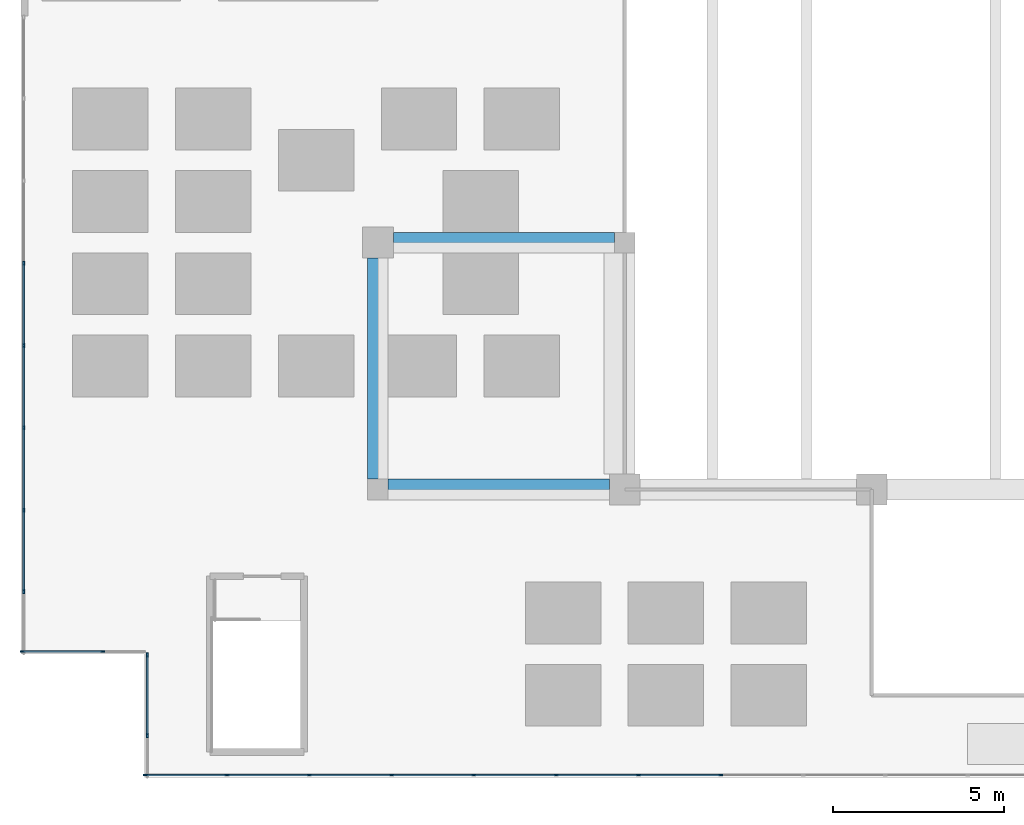
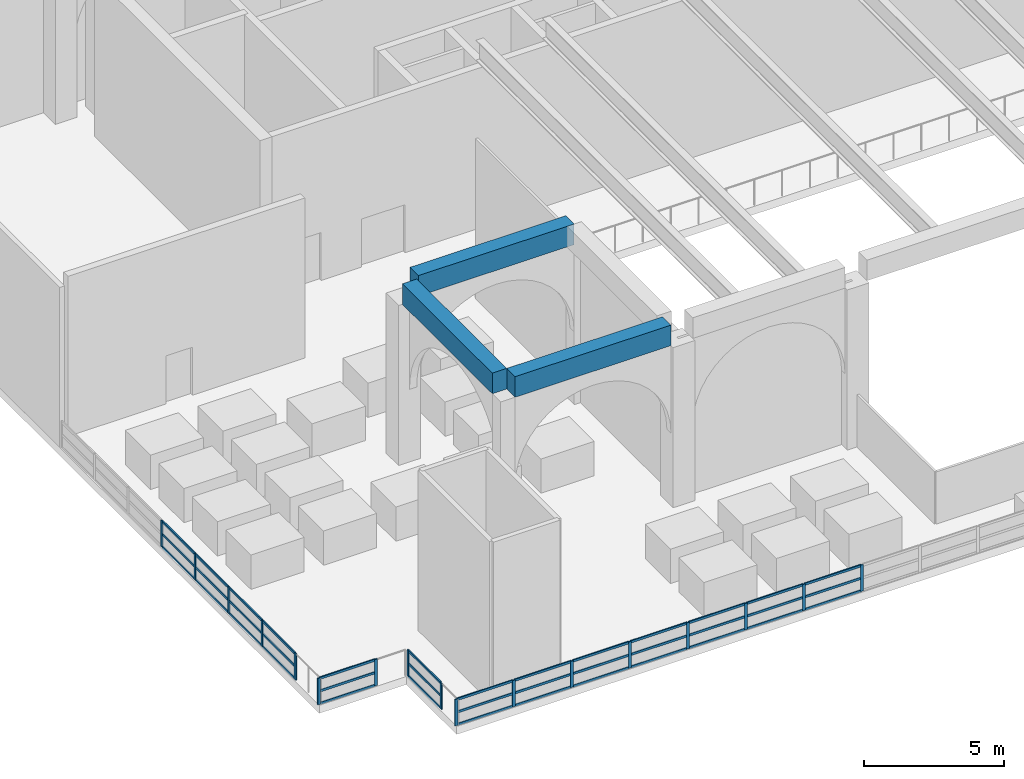
# One storey, part 2 of 17: 56 members, 3 beams, 4 elements without a shape of their own.
"""IFC4 building model written with IfcOpenShell, lengths in metres."""

from ifc_helpers import new_model, si_unit, direction, frame, origin, origin_2d, place, context, subcontext, project, spatial, rectangle, extrude, source, transform, mapped, material, layer, layer_set, material_profile, profile_set, type_object, element, aggregate, save


model = new_model("IFC4")

# Units and contexts
model_context = context("Model", 3, precision=1e-05, world=origin(), true_north=direction((0.0, 1.0)))
body_context = subcontext(model_context, "Body", "Model", "MODEL_VIEW")
ifc_project = project(units=[si_unit("LENGTHUNIT", "METRE"), si_unit("AREAUNIT", "SQUARE_METRE"), si_unit("VOLUMEUNIT", "CUBIC_METRE"), si_unit("PLANEANGLEUNIT", "RADIAN"), si_unit("MASSUNIT", "GRAM", prefix="KILO")], contexts=[model_context])

# Site, building, storey
site_placement = place(None, origin())
site = spatial("IfcSite", under=ifc_project, at=site_placement, CompositionType="ELEMENT")
building_placement = place(site_placement, origin())
building = spatial("IfcBuilding", under=site, at=building_placement, Name="Saffron Iwan Residences", CompositionType="ELEMENT")
storey_placement = place(building_placement, frame((0.0, 0.0, 274.5)))
storey = spatial("IfcBuildingStorey", under=building, at=storey_placement, Name="L74", CompositionType="ELEMENT", Elevation=274.5)

# Beams
ifc_material_1 = material(Name="Concrete C40/50", Category="concrete")
ifc_material_profile_1 = material_profile(ifc_material_1, rectangle(XDim=0.60009765625, YDim=0.89990234375, at=origin_2d()), Name="RC 600x900")
ifc_profile_set_1 = profile_set([ifc_material_profile_1], Name="Concrete C40/50")
beam_type = type_object("IfcBeamType", Name="BEAM RC 600x900 C40/50 TOP 7900", PredefinedType="BEAM", material=ifc_profile_set_1)
shared_shape_1 = source(origin(), body_context, "Body", "SweptSolid", [
    extrude(rectangle(XDim=0.60009765625, YDim=0.89990234375, at=origin_2d()), origin(), (0.0, 0.0, 1.0), 6.449951171875),
])
for number, where, z_axis, x_axis, name in (
    (1, (28.800048828125, 48.300048828125, 7.449951171875), (0.0, 1.0, 0.0), (-1.0, 0.0, 0.0), "Crown ring beam"),
    (2, (29.10009765625, 48.0, 7.449951171875), (1.0, 0.0, 0.0), (0.0, 1.0, 0.0), "Canopy beam"),
    (3, (29.25, 55.199951171875, 7.449951171875), (1.0, 0.0, 0.0), (0.0, 1.0, 0.0), "Canopy beam"),
):
    element("IfcBeam", number, at=place(storey_placement, frame(where, z_axis=z_axis, x_axis=x_axis)), inside=storey, type_object=beam_type, Name=name, PredefinedType="BEAM", context=body_context, shape_type="MappedRepresentation", body=[
        mapped(shared_shape_1, transform((0.0, 0.0, 0.0))),
    ])

# Curtain wall, members
ifc_material_2 = material(Name="Clear glass, laminated double glazed", Category="glass")
ifc_layer = layer(ifc_material_2, 0.10009765625)
ifc_layer_set = layer_set([ifc_layer], Name="Clear glass, laminated double glazed")
curtain_wall_type = type_object("IfcCurtainWallType", Name="CW-F ROOF TERRACE GLAZED GUARD", PredefinedType="NOTDEFINED", material=ifc_layer_set)
curtain_wall_1_placement = place(storey_placement, origin())
curtain_wall_1 = element("IfcCurtainWall", 4, at=curtain_wall_1_placement, inside=storey, type_object=curtain_wall_type, Name="Glazed terrace guard F8.6", PredefinedType="NOTDEFINED")
ifc_material_3 = material(Name="Aluminium 6063-T6", Category="aluminium")
ifc_material_profile_2 = material_profile(ifc_material_3, rectangle(XDim=0.050048828125, YDim=0.1201171875, at=origin_2d()), Name="CW-F MULLION 50 x 120")
ifc_profile_set_2 = profile_set([ifc_material_profile_2], Name="Aluminium 6063-T6")
member_type_1 = type_object("IfcMemberType", Name="CW-F MULLION 50 x 120", PredefinedType="MULLION", material=ifc_profile_set_2)
shared_shape_2 = source(origin(), body_context, "Body", "SweptSolid", [
    extrude(rectangle(XDim=0.050048828125, YDim=0.1201171875, at=origin_2d()), origin(), (0.0, 0.0, 1.0), 1.14990234375),
])
member_1_placement = place(storey_placement, frame((18.47509765625, 54.60009765625, 0.0), z_axis=(0.0, 0.0, 1.0), x_axis=(1.0, 0.0, 0.0)))
member_1 = element("IfcMember", 5, at=member_1_placement, type_object=member_type_1, Name="CW-F mullion 4", PredefinedType="MULLION", context=body_context, shape_type="MappedRepresentation", body=[
    mapped(shared_shape_2, transform((0.0, 0.0, 0.0))),
])
member_2_placement = place(storey_placement, frame((18.47509765625, 52.199951171875, 0.0), z_axis=(0.0, 0.0, 1.0), x_axis=(1.0, 0.0, 0.0)))
member_2 = element("IfcMember", 6, at=member_2_placement, type_object=member_type_1, Name="CW-F mullion 5", PredefinedType="MULLION", context=body_context, shape_type="MappedRepresentation", body=[
    mapped(shared_shape_2, transform((0.0, 0.0, 0.0))),
])
member_3_placement = place(storey_placement, frame((18.47509765625, 49.800048828125, 0.0), z_axis=(0.0, 0.0, 1.0), x_axis=(1.0, 0.0, 0.0)))
member_3 = element("IfcMember", 7, at=member_3_placement, type_object=member_type_1, Name="CW-F mullion 6", PredefinedType="MULLION", context=body_context, shape_type="MappedRepresentation", body=[
    mapped(shared_shape_2, transform((0.0, 0.0, 0.0))),
])
member_4_placement = place(storey_placement, frame((18.47509765625, 47.39990234375, 0.0), z_axis=(0.0, 0.0, 1.0), x_axis=(1.0, 0.0, 0.0)))
member_4 = element("IfcMember", 8, at=member_4_placement, type_object=member_type_1, Name="CW-F mullion 7", PredefinedType="MULLION", context=body_context, shape_type="MappedRepresentation", body=[
    mapped(shared_shape_2, transform((0.0, 0.0, 0.0))),
])
member_5_placement = place(storey_placement, frame((18.47509765625, 45.02490234375, 0.0), z_axis=(0.0, 0.0, 1.0), x_axis=(1.0, 0.0, 0.0)))
member_5 = element("IfcMember", 9, at=member_5_placement, type_object=member_type_1, Name="CW-F mullion 8", PredefinedType="MULLION", context=body_context, shape_type="MappedRepresentation", body=[
    mapped(shared_shape_2, transform((0.0, 0.0, 0.0))),
])

curtain_wall_2_placement = place(storey_placement, origin())
curtain_wall_2 = element("IfcCurtainWall", 10, at=curtain_wall_2_placement, inside=storey, type_object=curtain_wall_type, Name="Glazed terrace guard F9.8", PredefinedType="NOTDEFINED")
member_6_placement = place(storey_placement, frame((18.425048828125, 43.27490234375, 0.0), z_axis=(0.0, 0.0, 1.0), x_axis=(0.0, 1.0, 0.0)))
member_6 = element("IfcMember", 11, at=member_6_placement, type_object=member_type_1, Name="CW-F mullion 1", PredefinedType="MULLION", context=body_context, shape_type="MappedRepresentation", body=[
    mapped(shared_shape_2, transform((0.0, 0.0, 0.0))),
])
member_7_placement = place(storey_placement, frame((20.77490234375, 43.27490234375, 0.0), z_axis=(0.0, 0.0, 1.0), x_axis=(0.0, 1.0, 0.0)))
member_7 = element("IfcMember", 12, at=member_7_placement, type_object=member_type_1, Name="CW-F mullion 2", PredefinedType="MULLION", context=body_context, shape_type="MappedRepresentation", body=[
    mapped(shared_shape_2, transform((0.0, 0.0, 0.0))),
])

curtain_wall_3_placement = place(storey_placement, origin())
curtain_wall_3 = element("IfcCurtainWall", 13, at=curtain_wall_3_placement, inside=storey, type_object=curtain_wall_type, Name="Glazed terrace guard F10.10", PredefinedType="NOTDEFINED")
member_8_placement = place(storey_placement, frame((22.074951171875, 43.175048828125, 0.0), z_axis=(0.0, 0.0, 1.0), x_axis=(1.0, 0.0, 0.0)))
member_8 = element("IfcMember", 14, at=member_8_placement, type_object=member_type_1, Name="CW-F mullion 1", PredefinedType="MULLION", context=body_context, shape_type="MappedRepresentation", body=[
    mapped(shared_shape_2, transform((0.0, 0.0, 0.0))),
])
member_9_placement = place(storey_placement, frame((22.074951171875, 40.824951171875, 0.0), z_axis=(0.0, 0.0, 1.0), x_axis=(1.0, 0.0, 0.0)))
member_9 = element("IfcMember", 15, at=member_9_placement, type_object=member_type_1, Name="CW-F mullion 2", PredefinedType="MULLION", context=body_context, shape_type="MappedRepresentation", body=[
    mapped(shared_shape_2, transform((0.0, 0.0, 0.0))),
])

curtain_wall_4_placement = place(storey_placement, origin())
curtain_wall_4 = element("IfcCurtainWall", 16, at=curtain_wall_4_placement, inside=storey, type_object=curtain_wall_type, Name="Glazed terrace guard F11.12", PredefinedType="NOTDEFINED")
member_10_placement = place(storey_placement, frame((22.02490234375, 39.675048828125, 0.0), z_axis=(0.0, 0.0, 1.0), x_axis=(0.0, 1.0, 0.0)))
member_10 = element("IfcMember", 17, at=member_10_placement, type_object=member_type_1, Name="CW-F mullion 1", PredefinedType="MULLION", context=body_context, shape_type="MappedRepresentation", body=[
    mapped(shared_shape_2, transform((0.0, 0.0, 0.0))),
])
member_11_placement = place(storey_placement, frame((24.39990234375, 39.675048828125, 0.0), z_axis=(0.0, 0.0, 1.0), x_axis=(0.0, 1.0, 0.0)))
member_11 = element("IfcMember", 18, at=member_11_placement, type_object=member_type_1, Name="CW-F mullion 2", PredefinedType="MULLION", context=body_context, shape_type="MappedRepresentation", body=[
    mapped(shared_shape_2, transform((0.0, 0.0, 0.0))),
])
member_12_placement = place(storey_placement, frame((26.800048828125, 39.675048828125, 0.0), z_axis=(0.0, 0.0, 1.0), x_axis=(0.0, 1.0, 0.0)))
member_12 = element("IfcMember", 19, at=member_12_placement, type_object=member_type_1, Name="CW-F mullion 3", PredefinedType="MULLION", context=body_context, shape_type="MappedRepresentation", body=[
    mapped(shared_shape_2, transform((0.0, 0.0, 0.0))),
])
member_13_placement = place(storey_placement, frame((29.199951171875, 39.675048828125, 0.0), z_axis=(0.0, 0.0, 1.0), x_axis=(0.0, 1.0, 0.0)))
member_13 = element("IfcMember", 20, at=member_13_placement, type_object=member_type_1, Name="CW-F mullion 4", PredefinedType="MULLION", context=body_context, shape_type="MappedRepresentation", body=[
    mapped(shared_shape_2, transform((0.0, 0.0, 0.0))),
])
member_14_placement = place(storey_placement, frame((31.60009765625, 39.675048828125, 0.0), z_axis=(0.0, 0.0, 1.0), x_axis=(0.0, 1.0, 0.0)))
member_14 = element("IfcMember", 21, at=member_14_placement, type_object=member_type_1, Name="CW-F mullion 5", PredefinedType="MULLION", context=body_context, shape_type="MappedRepresentation", body=[
    mapped(shared_shape_2, transform((0.0, 0.0, 0.0))),
])
member_15_placement = place(storey_placement, frame((34.0, 39.675048828125, 0.0), z_axis=(0.0, 0.0, 1.0), x_axis=(0.0, 1.0, 0.0)))
member_15 = element("IfcMember", 22, at=member_15_placement, type_object=member_type_1, Name="CW-F mullion 6", PredefinedType="MULLION", context=body_context, shape_type="MappedRepresentation", body=[
    mapped(shared_shape_2, transform((0.0, 0.0, 0.0))),
])
member_16_placement = place(storey_placement, frame((36.39990234375, 39.675048828125, 0.0), z_axis=(0.0, 0.0, 1.0), x_axis=(0.0, 1.0, 0.0)))
member_16 = element("IfcMember", 23, at=member_16_placement, type_object=member_type_1, Name="CW-F mullion 7", PredefinedType="MULLION", context=body_context, shape_type="MappedRepresentation", body=[
    mapped(shared_shape_2, transform((0.0, 0.0, 0.0))),
])
member_17_placement = place(storey_placement, frame((38.800048828125, 39.675048828125, 0.0), z_axis=(0.0, 0.0, 1.0), x_axis=(0.0, 1.0, 0.0)))
member_17 = element("IfcMember", 24, at=member_17_placement, type_object=member_type_1, Name="CW-F mullion 8", PredefinedType="MULLION", context=body_context, shape_type="MappedRepresentation", body=[
    mapped(shared_shape_2, transform((0.0, 0.0, 0.0))),
])

# Member
ifc_material_profile_3 = material_profile(ifc_material_3, rectangle(XDim=0.050048828125, YDim=0.10009765625, at=origin_2d()), Name="CW-F TRANSOM 50 x 100")
ifc_profile_set_3 = profile_set([ifc_material_profile_3], Name="Aluminium 6063-T6")
member_type_2 = type_object("IfcMemberType", Name="CW-F TRANSOM 50 x 100", PredefinedType="USERDEFINED", material=ifc_profile_set_3)
shared_shape_3 = source(origin(), body_context, "Body", "SweptSolid", [
    extrude(rectangle(XDim=0.050048828125, YDim=0.10009765625, at=origin_2d()), origin(), (0.0, 0.0, 1.0), 2.324951171875),
])
member_18_placement = place(storey_placement, frame((18.47509765625, 47.375, 0.02490234375), z_axis=(0.0, -1.0, 0.0), x_axis=(1.0, 0.0, 0.0)))
member_18 = element("IfcMember", 25, at=member_18_placement, type_object=member_type_2, Name="CW-F transom 7.1", ObjectType="TRANSOM", PredefinedType="USERDEFINED", context=body_context, shape_type="MappedRepresentation", body=[
    mapped(shared_shape_3, transform((0.0, 0.0, 0.0))),
])

member_19_placement = place(storey_placement, frame((18.47509765625, 47.375, 0.574951171875), z_axis=(0.0, -1.0, 0.0), x_axis=(1.0, 0.0, 0.0)))
member_19 = element("IfcMember", 26, at=member_19_placement, type_object=member_type_2, Name="CW-F transom 7.2", ObjectType="TRANSOM", PredefinedType="USERDEFINED", context=body_context, shape_type="MappedRepresentation", body=[
    mapped(shared_shape_3, transform((0.0, 0.0, 0.0))),
])

member_20_placement = place(storey_placement, frame((18.47509765625, 47.375, 1.125), z_axis=(0.0, -1.0, 0.0), x_axis=(1.0, 0.0, 0.0)))
member_20 = element("IfcMember", 27, at=member_20_placement, type_object=member_type_2, Name="CW-F transom 7.3", ObjectType="TRANSOM", PredefinedType="USERDEFINED", context=body_context, shape_type="MappedRepresentation", body=[
    mapped(shared_shape_3, transform((0.0, 0.0, 0.0))),
])

member_21_placement = place(storey_placement, frame((22.050048828125, 39.675048828125, 0.02490234375), z_axis=(1.0, 0.0, 0.0), x_axis=(0.0, 1.0, 0.0)))
member_21 = element("IfcMember", 28, at=member_21_placement, type_object=member_type_2, Name="CW-F transom 1.1", ObjectType="TRANSOM", PredefinedType="USERDEFINED", context=body_context, shape_type="MappedRepresentation", body=[
    mapped(shared_shape_3, transform((0.0, 0.0, 0.0))),
])

member_22_placement = place(storey_placement, frame((22.050048828125, 39.675048828125, 0.574951171875), z_axis=(1.0, 0.0, 0.0), x_axis=(0.0, 1.0, 0.0)))
member_22 = element("IfcMember", 29, at=member_22_placement, type_object=member_type_2, Name="CW-F transom 1.2", ObjectType="TRANSOM", PredefinedType="USERDEFINED", context=body_context, shape_type="MappedRepresentation", body=[
    mapped(shared_shape_3, transform((0.0, 0.0, 0.0))),
])

member_23_placement = place(storey_placement, frame((22.050048828125, 39.675048828125, 1.125), z_axis=(1.0, 0.0, 0.0), x_axis=(0.0, 1.0, 0.0)))
member_23 = element("IfcMember", 30, at=member_23_placement, type_object=member_type_2, Name="CW-F transom 1.3", ObjectType="TRANSOM", PredefinedType="USERDEFINED", context=body_context, shape_type="MappedRepresentation", body=[
    mapped(shared_shape_3, transform((0.0, 0.0, 0.0))),
])

shared_shape_4 = source(origin(), body_context, "Body", "SweptSolid", [
    extrude(rectangle(XDim=0.050048828125, YDim=0.10009765625, at=origin_2d()), origin(), (0.0, 0.0, 1.0), 2.349853515625),
])
member_24_placement = place(storey_placement, frame((18.47509765625, 54.574951171875, 0.02490234375), z_axis=(0.0, -1.0, 0.0), x_axis=(1.0, 0.0, 0.0)))
member_24 = element("IfcMember", 31, at=member_24_placement, type_object=member_type_2, Name="CW-F transom 4.1", ObjectType="TRANSOM", PredefinedType="USERDEFINED", context=body_context, shape_type="MappedRepresentation", body=[
    mapped(shared_shape_4, transform((0.0, 0.0, 0.0))),
])

member_25_placement = place(storey_placement, frame((18.47509765625, 54.574951171875, 0.574951171875), z_axis=(0.0, -1.0, 0.0), x_axis=(1.0, 0.0, 0.0)))
member_25 = element("IfcMember", 32, at=member_25_placement, type_object=member_type_2, Name="CW-F transom 4.2", ObjectType="TRANSOM", PredefinedType="USERDEFINED", context=body_context, shape_type="MappedRepresentation", body=[
    mapped(shared_shape_4, transform((0.0, 0.0, 0.0))),
])

member_26_placement = place(storey_placement, frame((18.47509765625, 54.574951171875, 1.125), z_axis=(0.0, -1.0, 0.0), x_axis=(1.0, 0.0, 0.0)))
member_26 = element("IfcMember", 33, at=member_26_placement, type_object=member_type_2, Name="CW-F transom 4.3", ObjectType="TRANSOM", PredefinedType="USERDEFINED", context=body_context, shape_type="MappedRepresentation", body=[
    mapped(shared_shape_4, transform((0.0, 0.0, 0.0))),
])

member_27_placement = place(storey_placement, frame((18.47509765625, 49.77490234375, 0.02490234375), z_axis=(0.0, -1.0, 0.0), x_axis=(1.0, 0.0, 0.0)))
member_27 = element("IfcMember", 34, at=member_27_placement, type_object=member_type_2, Name="CW-F transom 6.1", ObjectType="TRANSOM", PredefinedType="USERDEFINED", context=body_context, shape_type="MappedRepresentation", body=[
    mapped(shared_shape_4, transform((0.0, 0.0, 0.0))),
])

member_28_placement = place(storey_placement, frame((18.47509765625, 49.77490234375, 0.574951171875), z_axis=(0.0, -1.0, 0.0), x_axis=(1.0, 0.0, 0.0)))
member_28 = element("IfcMember", 35, at=member_28_placement, type_object=member_type_2, Name="CW-F transom 6.2", ObjectType="TRANSOM", PredefinedType="USERDEFINED", context=body_context, shape_type="MappedRepresentation", body=[
    mapped(shared_shape_4, transform((0.0, 0.0, 0.0))),
])

member_29_placement = place(storey_placement, frame((18.47509765625, 49.77490234375, 1.125), z_axis=(0.0, -1.0, 0.0), x_axis=(1.0, 0.0, 0.0)))
member_29 = element("IfcMember", 36, at=member_29_placement, type_object=member_type_2, Name="CW-F transom 6.3", ObjectType="TRANSOM", PredefinedType="USERDEFINED", context=body_context, shape_type="MappedRepresentation", body=[
    mapped(shared_shape_4, transform((0.0, 0.0, 0.0))),
])

member_30_placement = place(storey_placement, frame((24.425048828125, 39.675048828125, 0.02490234375), z_axis=(1.0, 0.0, 0.0), x_axis=(0.0, 1.0, 0.0)))
member_30 = element("IfcMember", 37, at=member_30_placement, type_object=member_type_2, Name="CW-F transom 2.1", ObjectType="TRANSOM", PredefinedType="USERDEFINED", context=body_context, shape_type="MappedRepresentation", body=[
    mapped(shared_shape_4, transform((0.0, 0.0, 0.0))),
])

member_31_placement = place(storey_placement, frame((24.425048828125, 39.675048828125, 0.574951171875), z_axis=(1.0, 0.0, 0.0), x_axis=(0.0, 1.0, 0.0)))
member_31 = element("IfcMember", 38, at=member_31_placement, type_object=member_type_2, Name="CW-F transom 2.2", ObjectType="TRANSOM", PredefinedType="USERDEFINED", context=body_context, shape_type="MappedRepresentation", body=[
    mapped(shared_shape_4, transform((0.0, 0.0, 0.0))),
])

member_32_placement = place(storey_placement, frame((24.425048828125, 39.675048828125, 1.125), z_axis=(1.0, 0.0, 0.0), x_axis=(0.0, 1.0, 0.0)))
member_32 = element("IfcMember", 39, at=member_32_placement, type_object=member_type_2, Name="CW-F transom 2.3", ObjectType="TRANSOM", PredefinedType="USERDEFINED", context=body_context, shape_type="MappedRepresentation", body=[
    mapped(shared_shape_4, transform((0.0, 0.0, 0.0))),
])

member_33_placement = place(storey_placement, frame((29.22509765625, 39.675048828125, 0.02490234375), z_axis=(1.0, 0.0, 0.0), x_axis=(0.0, 1.0, 0.0)))
member_33 = element("IfcMember", 40, at=member_33_placement, type_object=member_type_2, Name="CW-F transom 4.1", ObjectType="TRANSOM", PredefinedType="USERDEFINED", context=body_context, shape_type="MappedRepresentation", body=[
    mapped(shared_shape_4, transform((0.0, 0.0, 0.0))),
])

member_34_placement = place(storey_placement, frame((29.22509765625, 39.675048828125, 0.574951171875), z_axis=(1.0, 0.0, 0.0), x_axis=(0.0, 1.0, 0.0)))
member_34 = element("IfcMember", 41, at=member_34_placement, type_object=member_type_2, Name="CW-F transom 4.2", ObjectType="TRANSOM", PredefinedType="USERDEFINED", context=body_context, shape_type="MappedRepresentation", body=[
    mapped(shared_shape_4, transform((0.0, 0.0, 0.0))),
])

member_35_placement = place(storey_placement, frame((29.22509765625, 39.675048828125, 1.125), z_axis=(1.0, 0.0, 0.0), x_axis=(0.0, 1.0, 0.0)))
member_35 = element("IfcMember", 42, at=member_35_placement, type_object=member_type_2, Name="CW-F transom 4.3", ObjectType="TRANSOM", PredefinedType="USERDEFINED", context=body_context, shape_type="MappedRepresentation", body=[
    mapped(shared_shape_4, transform((0.0, 0.0, 0.0))),
])

member_36_placement = place(storey_placement, frame((36.425048828125, 39.675048828125, 0.02490234375), z_axis=(1.0, 0.0, 0.0), x_axis=(0.0, 1.0, 0.0)))
member_36 = element("IfcMember", 43, at=member_36_placement, type_object=member_type_2, Name="CW-F transom 7.1", ObjectType="TRANSOM", PredefinedType="USERDEFINED", context=body_context, shape_type="MappedRepresentation", body=[
    mapped(shared_shape_4, transform((0.0, 0.0, 0.0))),
])

member_37_placement = place(storey_placement, frame((36.425048828125, 39.675048828125, 0.574951171875), z_axis=(1.0, 0.0, 0.0), x_axis=(0.0, 1.0, 0.0)))
member_37 = element("IfcMember", 44, at=member_37_placement, type_object=member_type_2, Name="CW-F transom 7.2", ObjectType="TRANSOM", PredefinedType="USERDEFINED", context=body_context, shape_type="MappedRepresentation", body=[
    mapped(shared_shape_4, transform((0.0, 0.0, 0.0))),
])

member_38_placement = place(storey_placement, frame((36.425048828125, 39.675048828125, 1.125), z_axis=(1.0, 0.0, 0.0), x_axis=(0.0, 1.0, 0.0)))
member_38 = element("IfcMember", 45, at=member_38_placement, type_object=member_type_2, Name="CW-F transom 7.3", ObjectType="TRANSOM", PredefinedType="USERDEFINED", context=body_context, shape_type="MappedRepresentation", body=[
    mapped(shared_shape_4, transform((0.0, 0.0, 0.0))),
])

shared_shape_5 = source(origin(), body_context, "Body", "SweptSolid", [
    extrude(rectangle(XDim=0.050048828125, YDim=0.10009765625, at=origin_2d()), origin(), (0.0, 0.0, 1.0), 2.35009765625),
])
member_39_placement = place(storey_placement, frame((18.47509765625, 52.175048828125, 0.02490234375), z_axis=(0.0, -1.0, 0.0), x_axis=(1.0, 0.0, 0.0)))
member_39 = element("IfcMember", 46, at=member_39_placement, type_object=member_type_2, Name="CW-F transom 5.1", ObjectType="TRANSOM", PredefinedType="USERDEFINED", context=body_context, shape_type="MappedRepresentation", body=[
    mapped(shared_shape_5, transform((0.0, 0.0, 0.0))),
])

member_40_placement = place(storey_placement, frame((18.47509765625, 52.175048828125, 0.574951171875), z_axis=(0.0, -1.0, 0.0), x_axis=(1.0, 0.0, 0.0)))
member_40 = element("IfcMember", 47, at=member_40_placement, type_object=member_type_2, Name="CW-F transom 5.2", ObjectType="TRANSOM", PredefinedType="USERDEFINED", context=body_context, shape_type="MappedRepresentation", body=[
    mapped(shared_shape_5, transform((0.0, 0.0, 0.0))),
])

member_41_placement = place(storey_placement, frame((18.47509765625, 52.175048828125, 1.125), z_axis=(0.0, -1.0, 0.0), x_axis=(1.0, 0.0, 0.0)))
member_41 = element("IfcMember", 48, at=member_41_placement, type_object=member_type_2, Name="CW-F transom 5.3", ObjectType="TRANSOM", PredefinedType="USERDEFINED", context=body_context, shape_type="MappedRepresentation", body=[
    mapped(shared_shape_5, transform((0.0, 0.0, 0.0))),
])

aggregate(curtain_wall_1, [member_1, member_2, member_3, member_4, member_5, member_24, member_25, member_26, member_39, member_40, member_41, member_27, member_28, member_29, member_18, member_19, member_20])

member_42_placement = place(storey_placement, frame((26.824951171875, 39.675048828125, 0.02490234375), z_axis=(1.0, 0.0, 0.0), x_axis=(0.0, 1.0, 0.0)))
member_42 = element("IfcMember", 49, at=member_42_placement, type_object=member_type_2, Name="CW-F transom 3.1", ObjectType="TRANSOM", PredefinedType="USERDEFINED", context=body_context, shape_type="MappedRepresentation", body=[
    mapped(shared_shape_5, transform((0.0, 0.0, 0.0))),
])

member_43_placement = place(storey_placement, frame((26.824951171875, 39.675048828125, 0.574951171875), z_axis=(1.0, 0.0, 0.0), x_axis=(0.0, 1.0, 0.0)))
member_43 = element("IfcMember", 50, at=member_43_placement, type_object=member_type_2, Name="CW-F transom 3.2", ObjectType="TRANSOM", PredefinedType="USERDEFINED", context=body_context, shape_type="MappedRepresentation", body=[
    mapped(shared_shape_5, transform((0.0, 0.0, 0.0))),
])

member_44_placement = place(storey_placement, frame((26.824951171875, 39.675048828125, 1.125), z_axis=(1.0, 0.0, 0.0), x_axis=(0.0, 1.0, 0.0)))
member_44 = element("IfcMember", 51, at=member_44_placement, type_object=member_type_2, Name="CW-F transom 3.3", ObjectType="TRANSOM", PredefinedType="USERDEFINED", context=body_context, shape_type="MappedRepresentation", body=[
    mapped(shared_shape_5, transform((0.0, 0.0, 0.0))),
])

member_45_placement = place(storey_placement, frame((31.625, 39.675048828125, 0.02490234375), z_axis=(1.0, 0.0, 0.0), x_axis=(0.0, 1.0, 0.0)))
member_45 = element("IfcMember", 52, at=member_45_placement, type_object=member_type_2, Name="CW-F transom 5.1", ObjectType="TRANSOM", PredefinedType="USERDEFINED", context=body_context, shape_type="MappedRepresentation", body=[
    mapped(shared_shape_5, transform((0.0, 0.0, 0.0))),
])

member_46_placement = place(storey_placement, frame((31.625, 39.675048828125, 0.574951171875), z_axis=(1.0, 0.0, 0.0), x_axis=(0.0, 1.0, 0.0)))
member_46 = element("IfcMember", 53, at=member_46_placement, type_object=member_type_2, Name="CW-F transom 5.2", ObjectType="TRANSOM", PredefinedType="USERDEFINED", context=body_context, shape_type="MappedRepresentation", body=[
    mapped(shared_shape_5, transform((0.0, 0.0, 0.0))),
])

member_47_placement = place(storey_placement, frame((31.625, 39.675048828125, 1.125), z_axis=(1.0, 0.0, 0.0), x_axis=(0.0, 1.0, 0.0)))
member_47 = element("IfcMember", 54, at=member_47_placement, type_object=member_type_2, Name="CW-F transom 5.3", ObjectType="TRANSOM", PredefinedType="USERDEFINED", context=body_context, shape_type="MappedRepresentation", body=[
    mapped(shared_shape_5, transform((0.0, 0.0, 0.0))),
])

member_48_placement = place(storey_placement, frame((34.02490234375, 39.675048828125, 0.02490234375), z_axis=(1.0, 0.0, 0.0), x_axis=(0.0, 1.0, 0.0)))
member_48 = element("IfcMember", 55, at=member_48_placement, type_object=member_type_2, Name="CW-F transom 6.1", ObjectType="TRANSOM", PredefinedType="USERDEFINED", context=body_context, shape_type="MappedRepresentation", body=[
    mapped(shared_shape_5, transform((0.0, 0.0, 0.0))),
])

member_49_placement = place(storey_placement, frame((34.02490234375, 39.675048828125, 0.574951171875), z_axis=(1.0, 0.0, 0.0), x_axis=(0.0, 1.0, 0.0)))
member_49 = element("IfcMember", 56, at=member_49_placement, type_object=member_type_2, Name="CW-F transom 6.2", ObjectType="TRANSOM", PredefinedType="USERDEFINED", context=body_context, shape_type="MappedRepresentation", body=[
    mapped(shared_shape_5, transform((0.0, 0.0, 0.0))),
])

member_50_placement = place(storey_placement, frame((34.02490234375, 39.675048828125, 1.125), z_axis=(1.0, 0.0, 0.0), x_axis=(0.0, 1.0, 0.0)))
member_50 = element("IfcMember", 57, at=member_50_placement, type_object=member_type_2, Name="CW-F transom 6.3", ObjectType="TRANSOM", PredefinedType="USERDEFINED", context=body_context, shape_type="MappedRepresentation", body=[
    mapped(shared_shape_5, transform((0.0, 0.0, 0.0))),
])

aggregate(curtain_wall_4, [member_10, member_11, member_12, member_13, member_14, member_15, member_16, member_17, member_21, member_22, member_23, member_30, member_31, member_32, member_42, member_43, member_44, member_33, member_34, member_35, member_45, member_46, member_47, member_48, member_49, member_50, member_36, member_37, member_38])

shared_shape_6 = source(origin(), body_context, "Body", "SweptSolid", [
    extrude(rectangle(XDim=0.050048828125, YDim=0.10009765625, at=origin_2d()), origin(), (0.0, 0.0, 1.0), 2.300048828125),
])
member_51_placement = place(storey_placement, frame((18.449951171875, 43.27490234375, 0.02490234375), z_axis=(1.0, 0.0, 0.0), x_axis=(0.0, 1.0, 0.0)))
member_51 = element("IfcMember", 58, at=member_51_placement, type_object=member_type_2, Name="CW-F transom 1.1", ObjectType="TRANSOM", PredefinedType="USERDEFINED", context=body_context, shape_type="MappedRepresentation", body=[
    mapped(shared_shape_6, transform((0.0, 0.0, 0.0))),
])

member_52_placement = place(storey_placement, frame((18.449951171875, 43.27490234375, 0.574951171875), z_axis=(1.0, 0.0, 0.0), x_axis=(0.0, 1.0, 0.0)))
member_52 = element("IfcMember", 59, at=member_52_placement, type_object=member_type_2, Name="CW-F transom 1.2", ObjectType="TRANSOM", PredefinedType="USERDEFINED", context=body_context, shape_type="MappedRepresentation", body=[
    mapped(shared_shape_6, transform((0.0, 0.0, 0.0))),
])

member_53_placement = place(storey_placement, frame((18.449951171875, 43.27490234375, 1.125), z_axis=(1.0, 0.0, 0.0), x_axis=(0.0, 1.0, 0.0)))
member_53 = element("IfcMember", 60, at=member_53_placement, type_object=member_type_2, Name="CW-F transom 1.3", ObjectType="TRANSOM", PredefinedType="USERDEFINED", context=body_context, shape_type="MappedRepresentation", body=[
    mapped(shared_shape_6, transform((0.0, 0.0, 0.0))),
])

aggregate(curtain_wall_2, [member_6, member_7, member_51, member_52, member_53])

shared_shape_7 = source(origin(), body_context, "Body", "SweptSolid", [
    extrude(rectangle(XDim=0.050048828125, YDim=0.10009765625, at=origin_2d()), origin(), (0.0, 0.0, 1.0), 2.2998046875),
])
member_54_placement = place(storey_placement, frame((22.074951171875, 43.14990234375, 0.02490234375), z_axis=(0.0, -1.0, 0.0), x_axis=(1.0, 0.0, 0.0)))
member_54 = element("IfcMember", 61, at=member_54_placement, type_object=member_type_2, Name="CW-F transom 1.1", ObjectType="TRANSOM", PredefinedType="USERDEFINED", context=body_context, shape_type="MappedRepresentation", body=[
    mapped(shared_shape_7, transform((0.0, 0.0, 0.0))),
])

member_55_placement = place(storey_placement, frame((22.074951171875, 43.14990234375, 0.574951171875), z_axis=(0.0, -1.0, 0.0), x_axis=(1.0, 0.0, 0.0)))
member_55 = element("IfcMember", 62, at=member_55_placement, type_object=member_type_2, Name="CW-F transom 1.2", ObjectType="TRANSOM", PredefinedType="USERDEFINED", context=body_context, shape_type="MappedRepresentation", body=[
    mapped(shared_shape_7, transform((0.0, 0.0, 0.0))),
])

member_56_placement = place(storey_placement, frame((22.074951171875, 43.14990234375, 1.125), z_axis=(0.0, -1.0, 0.0), x_axis=(1.0, 0.0, 0.0)))
member_56 = element("IfcMember", 63, at=member_56_placement, type_object=member_type_2, Name="CW-F transom 1.3", ObjectType="TRANSOM", PredefinedType="USERDEFINED", context=body_context, shape_type="MappedRepresentation", body=[
    mapped(shared_shape_7, transform((0.0, 0.0, 0.0))),
])

aggregate(curtain_wall_3, [member_8, member_9, member_54, member_55, member_56])

save(model, "model.ifc")
